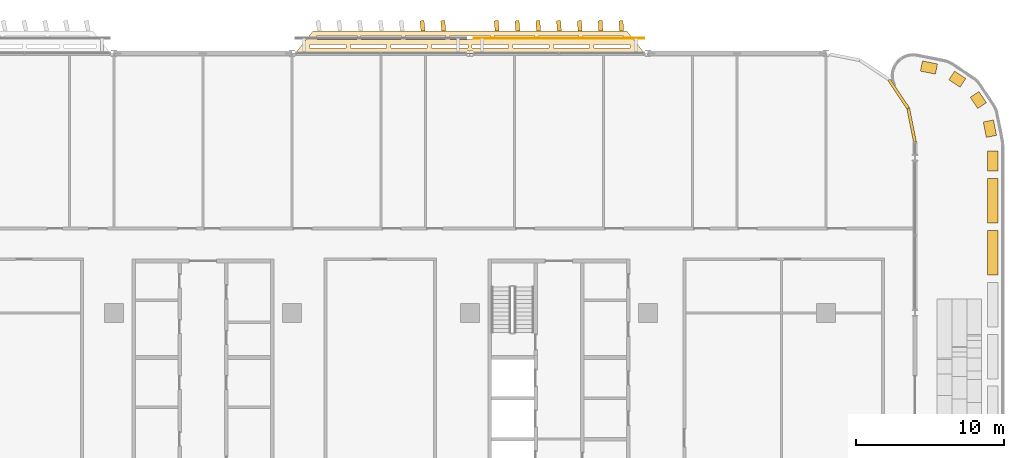
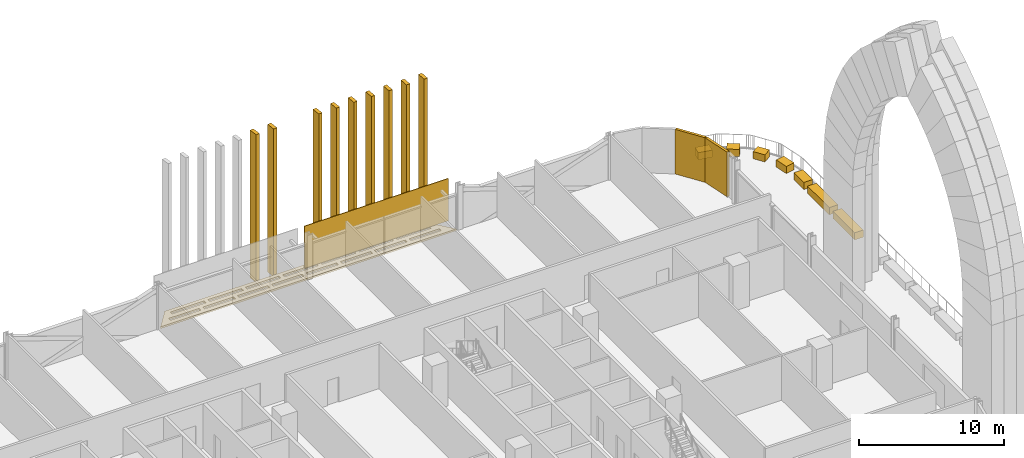
# One storey, part 33 of 33: 20 coverings.
"""IFC4 building model written with IfcOpenShell, lengths in metres."""

import ifcopenshell
import ifcopenshell.guid

model = None  # the IFC model being written
_history = None  # IfcOwnerHistory: only IFC2X3 demands one
_inside = {}  # id of a spatial element -> (the spatial element, [elements in it])
_under = {}  # id of a project, library or spatial element -> (it, [spatial elements below it])
_declared = {}  # id of a project -> (the project, [libraries it declares])
_typed = {}  # id of a type object -> (the type object, [elements of that type])
_made_of = {}  # id of a material, layer set ... -> (it, [elements and type objects made of it])


def new_model(schema):
    """Start an empty IFC model of exactly this schema.

    Asked for "IFC4X3", IfcOpenShell would pick the latest addendum, in which some entities
    have other attributes; the version numbers below select the first issue.
    IFC2X3 requires an IfcOwnerHistory on every rooted entity: one is made here for all.
    """
    global model, _history
    if schema == "IFC4X3":
        model = ifcopenshell.file(schema_version=(4, 3, 0, 0))
    else:
        model = ifcopenshell.file(schema=schema)
    _inside.clear()
    _under.clear()
    _declared.clear()
    _typed.clear()
    _made_of.clear()
    _history = None
    if model.schema == "IFC2X3":
        org = make("IfcOrganization", Name="unknown")
        user = make(
            "IfcPersonAndOrganization",
            ThePerson=make("IfcPerson", FamilyName="unknown"),
            TheOrganization=org,
        )
        app = make(
            "IfcApplication",
            ApplicationDeveloper=org,
            Version="unknown",
            ApplicationFullName="unknown",
            ApplicationIdentifier="unknown",
        )
        _history = make(
            "IfcOwnerHistory",
            OwningUser=user,
            OwningApplication=app,
            ChangeAction="ADDED",
            CreationDate=0,
        )
    return model


def make(cls, **values):
    """One entity of the class cls with the attributes given. An attribute that is None is left unset."""
    return model.create_entity(
        cls, **{name: value for name, value in values.items() if value is not None}
    )


def rooted(cls, **values):
    """An entity with a GlobalId (a new one), such as an element, a storey or a relation."""
    return make(cls, GlobalId=ifcopenshell.guid.new(), OwnerHistory=_history, **values)


def si_unit(unit_type, name, prefix=None):
    """IfcSIUnit, for example si_unit("LENGTHUNIT", "METRE", prefix="MILLI")."""
    return make("IfcSIUnit", UnitType=unit_type, Prefix=prefix, Name=name)


def assignment(units):
    """IfcUnitAssignment: the units of a project."""
    return None if units is None else make("IfcUnitAssignment", Units=units)


def point(xyz):
    """IfcCartesianPoint."""
    return None if xyz is None else make("IfcCartesianPoint", Coordinates=xyz)


def direction(xyz):
    """IfcDirection."""
    return None if xyz is None else make("IfcDirection", DirectionRatios=xyz)


def frame(location, z_axis=None, x_axis=None):
    """IfcAxis2Placement3D, a coordinate frame: its origin and axes. An axis left out is left unset."""
    return make(
        "IfcAxis2Placement3D",
        Location=point(location),
        Axis=direction(z_axis),
        RefDirection=direction(x_axis),
    )


def frame_2d(location, x_axis=None):
    """IfcAxis2Placement2D, a coordinate frame in the plane: its origin and x axis."""
    return make(
        "IfcAxis2Placement2D", Location=point(location), RefDirection=direction(x_axis)
    )


def origin():
    """The frame at (0, 0, 0) with its axes left unset."""
    return frame((0.0, 0.0, 0.0))


def origin_2d():
    """The frame at (0, 0) in the plane with its x axis left unset."""
    return frame_2d((0.0, 0.0))


def place(relative_to, where):
    """IfcLocalPlacement: puts the frame where relative to a parent placement (None: the world)."""
    return make(
        "IfcLocalPlacement", PlacementRelTo=relative_to, RelativePlacement=where
    )


def context(
    kind, dimensions, precision=None, world=None, true_north=None, identifier=None
):
    """IfcGeometricRepresentationContext, for example the 3D "Model" context."""
    return make(
        "IfcGeometricRepresentationContext",
        ContextIdentifier=identifier,
        ContextType=kind,
        CoordinateSpaceDimension=dimensions,
        Precision=precision,
        WorldCoordinateSystem=world,
        TrueNorth=true_north,
    )


def subcontext(parent, identifier, kind, view, scale=None):
    """IfcGeometricRepresentationSubContext, for example "Body" below "Model"."""
    return make(
        "IfcGeometricRepresentationSubContext",
        ContextIdentifier=identifier,
        ContextType=kind,
        ParentContext=parent,
        TargetScale=scale,
        TargetView=view,
    )


def project(units=None, contexts=None):
    """IfcProject with its units and contexts."""
    return rooted(
        "IfcProject",
        Name="project",
        RepresentationContexts=contexts,
        UnitsInContext=assignment(units),
    )


def spatial(cls, under=None, at=None, **own):
    """A site, building, storey or space (cls), placed at a placement, below another one or the project."""
    s = rooted(cls, ObjectPlacement=at, **own)
    if under is not None:
        _under.setdefault(under.id(), (under, []))[1].append(s)
    return s


def polyline(points):
    """IfcPolyline through the points."""
    return make("IfcPolyline", Points=[point(p) for p in points])


def profile(cls, at=None, kind="AREA", **sizes):
    """A parametric profile (cls). Its sizes go by their IFC names, for example OverallWidth=200.0."""
    return make(cls, ProfileType=kind, Position=at, **sizes)


def rectangle(**sizes):
    """IfcRectangleProfileDef."""
    return profile("IfcRectangleProfileDef", **sizes)


def outline(outer, holes=None, kind="AREA"):
    """IfcArbitraryClosedProfileDef: a profile drawn as a closed curve; with holes, ...WithVoids."""
    if holes is None:
        return make("IfcArbitraryClosedProfileDef", ProfileType=kind, OuterCurve=outer)
    return make(
        "IfcArbitraryProfileDefWithVoids",
        ProfileType=kind,
        OuterCurve=outer,
        InnerCurves=holes,
    )


def extrude(swept, where, along, depth):
    """IfcExtrudedAreaSolid: the profile swept, set in the frame where, extruded along a direction by depth."""
    return make(
        "IfcExtrudedAreaSolid",
        SweptArea=swept,
        Position=where,
        ExtrudedDirection=direction(along),
        Depth=depth,
    )


def shape(context_of_items, identifier, shape_type, items):
    """IfcShapeRepresentation: the items that make up one representation, for example the "Body"."""
    return make(
        "IfcShapeRepresentation",
        ContextOfItems=context_of_items,
        RepresentationIdentifier=identifier,
        RepresentationType=shape_type,
        Items=items,
    )


def material(Name=None, Category=None):
    """IfcMaterial."""
    return make("IfcMaterial", Name=Name, Category=Category)


def layer(
    of_material, thickness, ventilated=None, Name=None, Category=None, Priority=None
):
    """IfcMaterialLayer: one layer of a wall or slab, of a material (None: an air gap)."""
    return make(
        "IfcMaterialLayer",
        Material=of_material,
        LayerThickness=thickness,
        IsVentilated=ventilated,
        Name=Name,
        Category=Category,
        Priority=Priority,
    )


def layer_set(layers, Name=None):
    """IfcMaterialLayerSet."""
    return make("IfcMaterialLayerSet", MaterialLayers=layers, LayerSetName=Name)


def made_of(thing, what):
    """Note that an element or type object is made of a material, layer set ...; save() writes the relation."""
    if what is not None:
        _made_of.setdefault(what.id(), (what, []))[1].append(thing)
    return thing


def type_object(cls, material=None, **own):
    """A type object (cls), such as IfcWallType, which elements share."""
    return made_of(rooted(cls, **own), material)


def element(
    cls,
    number,
    at=None,
    inside=None,
    cuts=None,
    type_object=None,
    material=None,
    context=None,
    identifier="Body",
    shape_type=None,
    held_by="IfcProductDefinitionShape",
    body=None,
    shapes=None,
    **own,
):
    """One element of the class cls, such as IfcWall. Its Tag is "e" and its number.

    at: its placement. inside: the storey or other place that contains it. cuts: it is an
    opening in that element (IfcRelVoidsElement). A single representation is given by context,
    identifier, shape_type and body (its items); several are given by shapes. held_by: the class
    of the entity that holds the representations. save() writes the other relations.
    """
    e = rooted(cls, Tag="e%d" % number, ObjectPlacement=at, **own)
    if body is not None:
        shapes = [shape(context, identifier, shape_type, body)]
    if shapes is not None:
        e.Representation = make(held_by, Representations=shapes)
    if inside is not None:
        _inside.setdefault(inside.id(), (inside, []))[1].append(e)
    if cuts is not None:
        rooted(
            "IfcRelVoidsElement", RelatingBuildingElement=cuts, RelatedOpeningElement=e
        )
    if type_object is not None:
        _typed.setdefault(type_object.id(), (type_object, []))[1].append(e)
    return made_of(e, material)


def aggregate(whole, parts):
    """IfcRelAggregates: a whole, such as a stair, and the parts it consists of."""
    return rooted("IfcRelAggregates", RelatingObject=whole, RelatedObjects=parts)


def save(model, path):
    """Write the relations noted so far, then the file.

    IfcRelAggregates (storeys below a building ...), IfcRelContainedInSpatialStructure (elements
    in a storey), IfcRelDefinesByType, IfcRelAssociatesMaterial and IfcRelDeclares: one each for
    every whole, place, type object, material and project.
    """
    for whole, parts in _under.values():
        aggregate(whole, parts)
    for where, things in _inside.values():
        rooted(
            "IfcRelContainedInSpatialStructure",
            RelatedElements=things,
            RelatingStructure=where,
        )
    for kind, things in _typed.values():
        rooted("IfcRelDefinesByType", RelatedObjects=things, RelatingType=kind)
    for what, things in _made_of.values():
        rooted("IfcRelAssociatesMaterial", RelatedObjects=things, RelatingMaterial=what)
    for by, libraries in _declared.values():
        rooted("IfcRelDeclares", RelatingContext=by, RelatedDefinitions=libraries)
    model.write(path)


model = new_model("IFC4")

# Units and contexts
model_context = context("Model", 3, precision=1e-05, world=origin(), true_north=direction((0.0, 1.0)))
body_context = subcontext(model_context, "Body", "Model", "MODEL_VIEW")
ifc_project = project(units=[si_unit("LENGTHUNIT", "METRE"), si_unit("AREAUNIT", "SQUARE_METRE"), si_unit("VOLUMEUNIT", "CUBIC_METRE"), si_unit("PLANEANGLEUNIT", "RADIAN"), si_unit("MASSUNIT", "GRAM", prefix="KILO")], contexts=[model_context])

# Site, building, storey
site_placement = place(None, origin())
site = spatial("IfcSite", under=ifc_project, at=site_placement, CompositionType="ELEMENT")
building_placement = place(site_placement, origin())
building = spatial("IfcBuilding", under=site, at=building_placement, Name="Mahtab Terrace Research Tower", CompositionType="ELEMENT")
storey_placement = place(building_placement, frame((0.0, 0.0, 122.0)))
storey = spatial("IfcBuildingStorey", under=building, at=storey_placement, Name="L28", CompositionType="ELEMENT", Elevation=122.0)

# Coverings
ifc_material_1 = material(Name="Black aluminium cladding panel", Category="aluminium")
ifc_layer_1 = layer(ifc_material_1, 0.199951171875)
ifc_layer_set_1 = layer_set([ifc_layer_1], Name="Black metal corner cladding 200")
covering_type_1 = type_object("IfcCoveringType", Name="Black metal corner cladding 200", PredefinedType="CLADDING", material=ifc_layer_set_1)
for number, where, z_axis, x_axis, name in (
    (1, (46.89306640625, 26.26953125, 0.0), (0.0, 0.0, 1.0), (-0.555291490808, 0.831655794326, 0.0), "Corner cladding L28 0"),
    (2, (47.771484375, 24.14794921875, 0.0), (0.0, 0.0, 1.0), (-0.195212442692, 0.980760981187, 0.0), "Corner cladding L28 40"),
):
    element("IfcCovering", number, at=place(storey_placement, frame(where, z_axis=z_axis, x_axis=x_axis)), inside=storey, type_object=covering_type_1, Name=name, PredefinedType="CLADDING", context=body_context, shape_type="SweptSolid", body=[
        extrude(rectangle(XDim=2.30126953125, YDim=0.199951171875, at=origin_2d()), origin(), (0.0, 0.0, 1.0), 3.760009765625),
    ])
ifc_material_2 = material(Name="Black anodised aluminium", Category="aluminium")
ifc_layer_2 = layer(ifc_material_2, 0.14990234375)
ifc_layer_set_2 = layer_set([ifc_layer_2], Name="Horizontal sunshade band")
covering_type_2 = type_object("IfcCoveringType", Name="Horizontal sunshade band", PredefinedType="CLADDING", material=ifc_layer_set_2)
covering_1_placement = place(storey_placement, frame((0.0, 0.0, -0.14990234375)))
element("IfcCovering", 3, at=covering_1_placement, inside=storey, type_object=covering_type_2, Name="Sunshade band L28 4", PredefinedType="CLADDING", context=body_context, shape_type="SweptSolid", body=[
    extrude(outline(polyline([(29.781982421875, 29.0), (6.218017578125, 29.0), (7.41796875, 30.5), (28.58203125, 30.5), (29.781982421875, 29.0)]), holes=[polyline([(28.802001953125, 29.35009765625), (26.364013671875, 29.35009765625), (26.364013671875, 29.60009765625), (28.802001953125, 29.60009765625), (28.802001953125, 29.35009765625)]), polyline([(26.06396484375, 29.35009765625), (23.6259765625, 29.35009765625), (23.6259765625, 29.60009765625), (26.06396484375, 29.60009765625), (26.06396484375, 29.35009765625)]), polyline([(23.325927734375, 29.35009765625), (20.887939453125, 29.35009765625), (20.887939453125, 29.60009765625), (23.325927734375, 29.60009765625), (23.325927734375, 29.35009765625)]), polyline([(20.587890625, 29.35009765625), (18.14990234375, 29.35009765625), (18.14990234375, 29.60009765625), (20.587890625, 29.60009765625), (20.587890625, 29.35009765625)]), polyline([(17.85009765625, 29.35009765625), (15.412109375, 29.35009765625), (15.412109375, 29.60009765625), (17.85009765625, 29.60009765625), (17.85009765625, 29.35009765625)]), polyline([(15.112060546875, 29.35009765625), (12.674072265625, 29.35009765625), (12.674072265625, 29.60009765625), (15.112060546875, 29.60009765625), (15.112060546875, 29.35009765625)]), polyline([(12.3740234375, 29.35009765625), (9.93603515625, 29.35009765625), (9.93603515625, 29.60009765625), (12.3740234375, 29.60009765625), (12.3740234375, 29.35009765625)]), polyline([(9.635986328125, 29.35009765625), (7.197998046875, 29.35009765625), (7.197998046875, 29.60009765625), (9.635986328125, 29.60009765625), (9.635986328125, 29.35009765625)]), polyline([(28.322021484375, 29.949951171875), (25.6298828125, 29.949951171875), (25.6298828125, 30.199951171875), (28.322021484375, 30.199951171875), (28.322021484375, 29.949951171875)]), polyline([(25.330078125, 29.949951171875), (22.637939453125, 29.949951171875), (22.637939453125, 30.199951171875), (25.330078125, 30.199951171875), (25.330078125, 29.949951171875)]), polyline([(22.337890625, 29.949951171875), (19.64599609375, 29.949951171875), (19.64599609375, 30.199951171875), (22.337890625, 30.199951171875), (22.337890625, 29.949951171875)]), polyline([(19.345947265625, 29.949951171875), (16.654052734375, 29.949951171875), (16.654052734375, 30.199951171875), (19.345947265625, 30.199951171875), (19.345947265625, 29.949951171875)]), polyline([(16.35400390625, 29.949951171875), (13.662109375, 29.949951171875), (13.662109375, 30.199951171875), (16.35400390625, 30.199951171875), (16.35400390625, 29.949951171875)]), polyline([(13.362060546875, 29.949951171875), (10.669921875, 29.949951171875), (10.669921875, 30.199951171875), (13.362060546875, 30.199951171875), (13.362060546875, 29.949951171875)]), polyline([(10.3701171875, 29.949951171875), (7.677978515625, 29.949951171875), (7.677978515625, 30.199951171875), (10.3701171875, 30.199951171875), (10.3701171875, 29.949951171875)])]), origin(), (0.0, 0.0, 1.0), 0.14990234375),
])
ifc_material_3 = material(Name="Planting soil and shrubs")
ifc_layer_3 = layer(ifc_material_3, 0.1201171875)
ifc_layer_set_3 = layer_set([ifc_layer_3], Name="Planter")
covering_type_3 = type_object("IfcCoveringType", Name="Planter", PredefinedType="USERDEFINED", material=ifc_layer_set_3)
for number, where, z_axis, x_axis, name in (
    (4, (53.25, 15.56591796875, 0.030029296875), (0.0, 0.0, 1.0), (0.0, 1.0, 0.0), "PLANTER terrace 3"),
    (5, (53.25, 19.06591796875, 0.030029296875), (0.0, 0.0, 1.0), (0.0, 1.0, 0.0), "PLANTER terrace 3"),
):
    element("IfcCovering", number, at=place(storey_placement, frame(where, z_axis=z_axis, x_axis=x_axis)), inside=storey, type_object=covering_type_3, Name=name, ObjectType="PLANTER", PredefinedType="USERDEFINED", context=body_context, shape_type="SweptSolid", body=[
        extrude(rectangle(XDim=3.0, YDim=0.699951171875, at=origin_2d()), origin(), (0.0, 0.0, 1.0), 0.60009765625),
    ])
covering_2_placement = place(storey_placement, frame((53.25, 21.75, 0.030029296875), z_axis=(0.0, 0.0, 1.0), x_axis=(0.0, 1.0, 0.0)))
element("IfcCovering", 6, at=covering_2_placement, inside=storey, type_object=covering_type_3, Name="PLANTER terrace 3", ObjectType="PLANTER", PredefinedType="USERDEFINED", context=body_context, shape_type="SweptSolid", body=[
    extrude(rectangle(XDim=1.368408203125, YDim=0.699951171875, at=origin_2d()), origin(), (0.0, 0.0, 1.0), 0.60009765625),
])
covering_3_placement = place(storey_placement, frame((53.05029296875, 23.92822265625, 0.030029296875), z_axis=(0.0, 0.0, 1.0), x_axis=(-0.195303993071, 0.980742754391, 0.0)))
element("IfcCovering", 7, at=covering_3_placement, inside=storey, type_object=covering_type_3, Name="PLANTER terrace 3", ObjectType="PLANTER", PredefinedType="USERDEFINED", context=body_context, shape_type="SweptSolid", body=[
    extrude(rectangle(XDim=1.060546875, YDim=0.699951171875, at=origin_2d()), origin(), (0.0, 0.0, 1.0), 0.60009765625),
])
for number, where, z_axis, x_axis, name in (
    (8, (52.268798828125, 25.853759765625, 0.030029296875), (0.0, 0.0, 1.0), (-0.555757494231, 0.831344457855, 0.0), "PLANTER terrace 3"),
    (9, (50.853759765625, 27.268798828125, 0.030029296875), (0.0, 0.0, 1.0), (-0.831344457855, 0.555757494231, 0.0), "PLANTER terrace 3"),
):
    element("IfcCovering", number, at=place(storey_placement, frame(where, z_axis=z_axis, x_axis=x_axis)), inside=storey, type_object=covering_type_3, Name=name, ObjectType="PLANTER", PredefinedType="USERDEFINED", context=body_context, shape_type="SweptSolid", body=[
        extrude(rectangle(XDim=0.908447265625, YDim=0.699951171875, at=origin_2d()), origin(), (0.0, 0.0, 1.0), 0.60009765625),
    ])
covering_4_placement = place(storey_placement, frame((48.941162109375, 28.0478515625, 0.030029296875), z_axis=(0.0, 0.0, 1.0), x_axis=(-0.980724538195, 0.195395445655, 0.0)))
element("IfcCovering", 10, at=covering_4_placement, inside=storey, type_object=covering_type_3, Name="PLANTER terrace 3", ObjectType="PLANTER", PredefinedType="USERDEFINED", context=body_context, shape_type="SweptSolid", body=[
    extrude(rectangle(XDim=1.0341796875, YDim=0.699951171875, at=origin_2d()), origin(), (0.0, 0.0, 1.0), 0.60009765625),
])
ifc_material_4 = material(Name="Bronze anodised aluminium", Category="aluminium")
ifc_layer_4 = layer(ifc_material_4, 0.050048828125)
ifc_layer_set_4 = layer_set([ifc_layer_4], Name="Sky lounge girih screen panel")
covering_type_4 = type_object("IfcCoveringType", Name="Sky lounge girih screen panel", PredefinedType="CLADDING", material=ifc_layer_set_4)
covering_5_placement = place(storey_placement, frame((24.0, 30.02490234375, 0.099853515625), z_axis=(0.0, 0.0, 1.0), x_axis=(-1.0, 0.0, 0.0)))
element("IfcCovering", 11, at=covering_5_placement, inside=storey, type_object=covering_type_4, Name="Girih screen L28 N5", PredefinedType="CLADDING", context=body_context, shape_type="SweptSolid", body=[
    extrude(rectangle(XDim=11.464111328125, YDim=0.050048828125, at=origin_2d()), origin(), (0.0, 0.0, 1.0), 3.56005859375),
])
ifc_layer_5 = layer(ifc_material_4, 0.1201171875)
ifc_layer_set_5 = layer_set([ifc_layer_5], Name="Vertical fin 700")
covering_type_5 = type_object("IfcCoveringType", Name="Vertical fin 700", PredefinedType="CLADDING", material=ifc_layer_set_5)
for number, where, z_axis, x_axis, name in (
    (12, (28.199951171875, 30.857421875, -0.14990234375), (0.0, 0.0, 1.0), (-0.998356138179, -0.057315105867, 0.0), "Fin L28 N1"),
    (13, (26.800048828125, 30.858154296875, -0.14990234375), (0.0, 0.0, 1.0), (-0.998005798968, -0.063122303718, 0.0), "Fin L28 N2"),
    (14, (25.39990234375, 30.85888671875, -0.14990234375), (0.0, 0.0, 1.0), (-0.997621680969, -0.068927365114, 0.0), "Fin L28 N3"),
    (15, (24.0, 30.859375, -0.14990234375), (0.0, 0.0, 1.0), (-0.997203797181, -0.074730093591, 0.0), "Fin L28 N4"),
    (16, (22.60009765625, 30.860107421875, -0.14990234375), (0.0, 0.0, 1.0), (-0.996752161751, -0.080530292716, 0.0), "Fin L28 N5"),
    (17, (21.199951171875, 30.86083984375, -0.14990234375), (0.0, 0.0, 1.0), (-0.996266789964, -0.086327766189, 0.0), "Fin L28 N6"),
    (18, (19.800048828125, 30.861328125, -0.14990234375), (0.0, 0.0, 1.0), (-0.995747698246, -0.092122317805, 0.0), "Fin L28 N7"),
    (19, (16.199951171875, 30.863037109375, -0.14990234375), (0.0, 0.0, 1.0), (-0.994258180634, -0.107007804585, 0.0), "Fin L28 N1"),
    (20, (14.800048828125, 30.863525390625, -0.14990234375), (0.0, 0.0, 1.0), (-0.993618812002, -0.112790320663, 0.0), "Fin L28 N2"),
):
    element("IfcCovering", number, at=place(storey_placement, frame(where, z_axis=z_axis, x_axis=x_axis)), inside=storey, type_object=covering_type_5, Name=name, PredefinedType="CLADDING", context=body_context, shape_type="SweptSolid", body=[
        extrude(rectangle(XDim=0.280029296875, YDim=0.699951171875, at=origin_2d()), origin(), (0.0, 0.0, 1.0), 12.449951171875),
    ])

save(model, "model.ifc")
